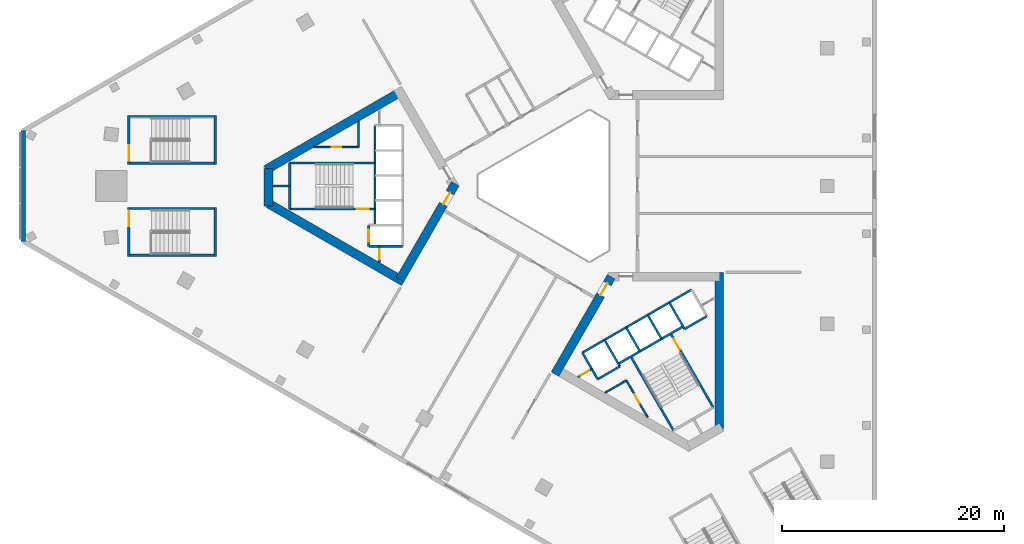
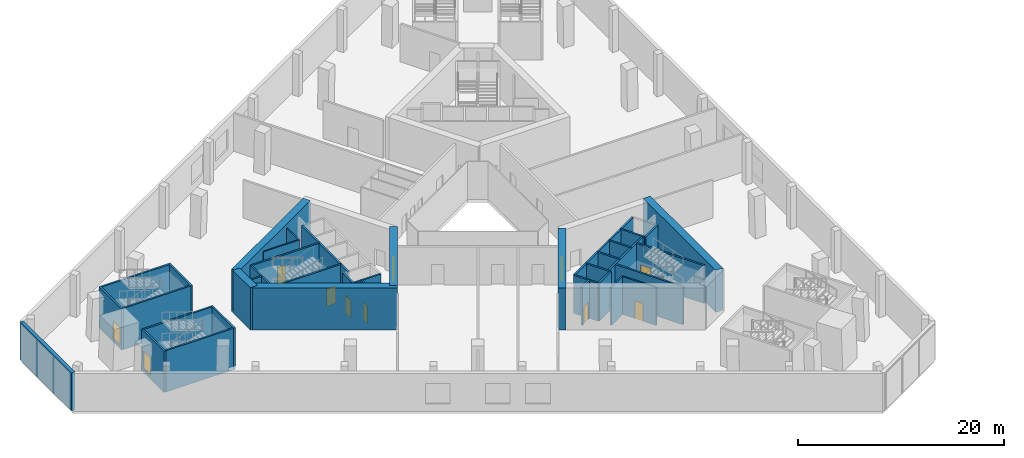
# One storey, part 11 of 36: 39 walls, 11 doors, 11 openings.
"""IFC4 building model written with IfcOpenShell, lengths in metres."""

from ifc_helpers import new_model, si_unit, direction, frame, frame_2d, origin, place, context, subcontext, project, spatial, rectangle, extrude, material, layer, layer_set, type_object, element, fill, save


model = new_model("IFC4")

# Units and contexts
model_context = context("Model", 3, precision=1e-05, world=origin(), true_north=direction((0.0, 1.0)))
body_context = subcontext(model_context, "Body", "Model", "MODEL_VIEW")
ifc_project = project(units=[si_unit("LENGTHUNIT", "METRE"), si_unit("AREAUNIT", "SQUARE_METRE"), si_unit("VOLUMEUNIT", "CUBIC_METRE"), si_unit("PLANEANGLEUNIT", "RADIAN"), si_unit("MASSUNIT", "GRAM", prefix="KILO")], contexts=[model_context])

# Site, building, storey
site_placement = place(None, origin())
site = spatial("IfcSite", under=ifc_project, at=site_placement, CompositionType="ELEMENT")
building_placement = place(site_placement, origin())
building = spatial("IfcBuilding", under=site, at=building_placement, Name="Jabali Bay Hotel Tower and Convention Centre", CompositionType="ELEMENT")
storey_placement = place(building_placement, frame((0.0, 0.0, 20.39990234375)))
storey = spatial("IfcBuildingStorey", under=building, at=storey_placement, Name="L03", CompositionType="ELEMENT", Elevation=20.39990234375)

# Wall
ifc_material_1 = material(Name="Concrete C40", Category="concrete")
ifc_layer_1 = layer(ifc_material_1, 0.199951171875)
ifc_layer_set_1 = layer_set([ifc_layer_1], Name="Concrete C40")
wall_type_1 = type_object("IfcWallType", Name="Core partition wall 200", PredefinedType="PARTITIONING", material=ifc_layer_set_1)
wall_1_placement = place(storey_placement, frame((50.820068359375, 80.0, 0.0), z_axis=(0.0, 0.0, 1.0), x_axis=(-1.0, 0.0, 0.0)))
element("IfcWall", 1, at=wall_1_placement, inside=storey, type_object=wall_type_1, Name="Core wall 0.5 L03", PredefinedType="PARTITIONING", context=body_context, shape_type="SweptSolid", body=[
    extrude(rectangle(XDim=1.623046875, YDim=0.199951171875, at=frame_2d((0.8115234375, 0.0))), origin(), (0.0, 0.0, 1.0), 4.5),
])

# Wall, opening, door
wall_2_placement = place(storey_placement, frame((58.800048828125, 74.550048828125, 0.0), z_axis=(0.0, 0.0, 1.0), x_axis=(0.0, -1.0, 0.0)))
wall_2 = element("IfcWall", 2, at=wall_2_placement, inside=storey, type_object=wall_type_1, Name="Core wall 0.12 L03", PredefinedType="PARTITIONING", context=body_context, shape_type="SweptSolid", body=[
    extrude(rectangle(XDim=1.455078125, YDim=0.199951171875, at=frame_2d((0.7275390625, 0.0))), origin(), (0.0, 0.0, 1.0), 4.5),
])
opening_1_placement = place(wall_2_placement, frame((0.277587890625, 0.0, 0.0)))
opening_1 = element("IfcOpeningElement", 3, at=opening_1_placement, cuts=wall_2, Name="Opening D164", PredefinedType="OPENING", context=body_context, shape_type="SweptSolid", body=[
    extrude(rectangle(XDim=0.89990234375, YDim=2.10009765625, at=frame_2d((0.449951171875, 1.050048828125))), frame((0.0, 0.1103515625, 0.0), z_axis=(0.0, -1.0, 0.0), x_axis=(1.0, 0.0, 0.0)), (0.0, 0.0, 1.0), 0.220947265625),
])
ifc_material_2 = material(Name="Fire-rated steel door", Category="steel")
door_type_1 = type_object("IfcDoorType", Name="Vestibule fire door 900 x 2100", OperationType="NOTDEFINED", PredefinedType="NOTDEFINED", material=ifc_material_2)
door_1_placement = place(opening_1_placement, origin())
door_1 = element("IfcDoor", 4, at=door_1_placement, inside=storey, type_object=door_type_1, Name="Vestibule fire door D164", OperationType="SINGLE_SWING_LEFT", OverallHeight=2.10009765625, OverallWidth=0.89990234375, PredefinedType="NOTDEFINED", context=body_context, shape_type="SweptSolid", body=[
    extrude(rectangle(XDim=0.89990234375, YDim=2.10009765625, at=frame_2d((0.449951171875, 1.050048828125))), frame((0.0, 0.02490234375, 0.0), z_axis=(0.0, -1.0, 0.0), x_axis=(1.0, 0.0, 0.0)), (0.0, 0.0, 1.0), 0.050048828125),
])
fill(opening_1, door_1)

wall_3_placement = place(storey_placement, frame((76.719970703125, 62.748779296875, 0.0), z_axis=(0.0, 0.0, 1.0), x_axis=(0.866054810376, 0.49994906283, 0.0)))
wall_3 = element("IfcWall", 5, at=wall_3_placement, inside=storey, type_object=wall_type_1, Name="Core wall 2.11 L03", PredefinedType="PARTITIONING", context=body_context, shape_type="SweptSolid", body=[
    extrude(rectangle(XDim=1.461181640625, YDim=0.199951171875, at=frame_2d((0.73046875, 0.0))), origin(), (0.0, 0.0, 1.0), 4.5),
])
opening_2_placement = place(wall_3_placement, frame((0.280517578125, 0.0, 0.0)))
opening_2 = element("IfcOpeningElement", 6, at=opening_2_placement, cuts=wall_3, Name="Opening D177", PredefinedType="OPENING", context=body_context, shape_type="SweptSolid", body=[
    extrude(rectangle(XDim=0.89990234375, YDim=2.10009765625, at=frame_2d((0.449951171875, 1.050048828125))), frame((0.0, 0.1103515625, 0.0), z_axis=(0.0, -1.0, 0.0), x_axis=(1.0, 0.0, 0.0)), (0.0, 0.0, 1.0), 0.220947265625),
])
door_2_placement = place(opening_2_placement, origin())
door_2 = element("IfcDoor", 7, at=door_2_placement, inside=storey, type_object=door_type_1, Name="Vestibule fire door D177", OperationType="SINGLE_SWING_LEFT", OverallHeight=2.10009765625, OverallWidth=0.89990234375, PredefinedType="NOTDEFINED", context=body_context, shape_type="SweptSolid", body=[
    extrude(rectangle(XDim=0.89990234375, YDim=2.10009765625, at=frame_2d((0.449951171875, 1.050048828125))), frame((0.0, 0.02490234375, 0.0), z_axis=(0.0, -1.0, 0.0), x_axis=(1.0, 0.0, 0.0)), (0.0, 0.0, 1.0), 0.050048828125),
])
fill(opening_2, door_2)

ifc_material_3 = material(Name="Fire-rated board partition")
ifc_layer_2 = layer(ifc_material_3, 0.14990234375)
ifc_layer_set_2 = layer_set([ifc_layer_2], Name="Fire-rated board partition")
wall_type_2 = type_object("IfcWallType", Name="Core room partition 150", PredefinedType="PARTITIONING", material=ifc_layer_set_2)
wall_4_placement = place(storey_placement, frame((56.919921875, 83.5, 0.0), z_axis=(0.0, 0.0, 1.0), x_axis=(-1.0, 0.0, 0.0)))
wall_4 = element("IfcWall", 8, at=wall_4_placement, inside=storey, type_object=wall_type_2, Name="Core wall 0.1 L03", PredefinedType="PARTITIONING", context=body_context, shape_type="SweptSolid", body=[
    extrude(rectangle(XDim=4.017822265625, YDim=0.14990234375, at=frame_2d((2.0087890625, 0.0))), origin(), (0.0, 0.0, 1.0), 4.5),
])
opening_3_placement = place(wall_4_placement, frame((1.531494140625, 0.0, 0.0)))
opening_3 = element("IfcOpeningElement", 9, at=opening_3_placement, cuts=wall_4, Name="Opening D167", PredefinedType="OPENING", context=body_context, shape_type="SweptSolid", body=[
    extrude(rectangle(XDim=0.89990234375, YDim=2.10009765625, at=frame_2d((0.449951171875, 1.050048828125))), frame((0.0, 0.08544921875, 0.0), z_axis=(0.0, -1.0, 0.0), x_axis=(1.0, 0.0, 0.0)), (0.0, 0.0, 1.0), 0.1708984375),
])
door_type_2 = type_object("IfcDoorType", Name="Core room door 900 x 2100", OperationType="NOTDEFINED", PredefinedType="NOTDEFINED", material=ifc_material_2)
door_3_placement = place(opening_3_placement, origin())
door_3 = element("IfcDoor", 10, at=door_3_placement, inside=storey, type_object=door_type_2, Name="Core room door D167", OperationType="SINGLE_SWING_LEFT", OverallHeight=2.10009765625, OverallWidth=0.89990234375, PredefinedType="NOTDEFINED", context=body_context, shape_type="SweptSolid", body=[
    extrude(rectangle(XDim=0.89990234375, YDim=2.10009765625, at=frame_2d((0.449951171875, 1.050048828125))), frame((0.0, 0.02490234375, 0.0), z_axis=(0.0, -1.0, 0.0), x_axis=(1.0, 0.0, 0.0)), (0.0, 0.0, 1.0), 0.050048828125),
])
fill(opening_3, door_3)

# Wall
wall_5_placement = place(storey_placement, frame((56.919921875, 85.819580078125, 0.0), z_axis=(0.0, 0.0, 1.0), x_axis=(0.0, -1.0, 0.0)))
element("IfcWall", 11, at=wall_5_placement, inside=storey, type_object=wall_type_2, Name="Core wall 0.15 L03", PredefinedType="PARTITIONING", context=body_context, shape_type="SweptSolid", body=[
    extrude(rectangle(XDim=2.319580078125, YDim=0.14990234375, at=frame_2d((1.15966796875, 0.0))), origin(), (0.0, 0.0, 1.0), 4.5),
])

# Wall, opening, door
wall_6_placement = place(storey_placement, frame((81.093994140625, 62.445068359375, 0.0), z_axis=(0.0, 0.0, 1.0), x_axis=(0.499987921047, -0.866032377459, 0.0)))
wall_6 = element("IfcWall", 12, at=wall_6_placement, inside=storey, type_object=wall_type_2, Name="Core wall 2.1 L03", PredefinedType="PARTITIONING", context=body_context, shape_type="SweptSolid", body=[
    extrude(rectangle(XDim=3.84765625, YDim=0.14990234375, at=frame_2d((1.923828125, 0.0))), origin(), (0.0, 0.0, 1.0), 4.5),
])
opening_4_placement = place(wall_6_placement, frame((1.446533203125, 0.0, 0.0)))
opening_4 = element("IfcOpeningElement", 13, at=opening_4_placement, cuts=wall_6, Name="Opening D179", PredefinedType="OPENING", context=body_context, shape_type="SweptSolid", body=[
    extrude(rectangle(XDim=0.89990234375, YDim=2.10009765625, at=frame_2d((0.449951171875, 1.050048828125))), frame((0.0, 0.08544921875, 0.0), z_axis=(0.0, -1.0, 0.0), x_axis=(1.0, 0.0, 0.0)), (0.0, 0.0, 1.0), 0.1708984375),
])
door_4_placement = place(opening_4_placement, origin())
door_4 = element("IfcDoor", 14, at=door_4_placement, inside=storey, type_object=door_type_2, Name="Core room door D179", OperationType="SINGLE_SWING_LEFT", OverallHeight=2.10009765625, OverallWidth=0.89990234375, PredefinedType="NOTDEFINED", context=body_context, shape_type="SweptSolid", body=[
    extrude(rectangle(XDim=0.89990234375, YDim=2.10009765625, at=frame_2d((0.449951171875, 1.050048828125))), frame((0.0, 0.02490234375, 0.0), z_axis=(0.0, -1.0, 0.0), x_axis=(1.0, 0.0, 0.0)), (0.0, 0.0, 1.0), 0.050048828125),
])
fill(opening_4, door_4)

# Walls
wall_7_placement = place(storey_placement, frame((79.169921875, 61.334228515625, 0.0), z_axis=(0.0, 0.0, 1.0), x_axis=(0.866030041738, 0.499991966744, 0.0)))
element("IfcWall", 15, at=wall_7_placement, inside=storey, type_object=wall_type_2, Name="Core wall 2.16 L03", PredefinedType="PARTITIONING", context=body_context, shape_type="SweptSolid", body=[
    extrude(rectangle(XDim=2.2216796875, YDim=0.14990234375, at=frame_2d((1.11083984375, 0.0))), origin(), (0.0, 0.0, 1.0), 4.5),
])
ifc_layer_3 = layer(ifc_material_1, 0.199951171875)
ifc_layer_set_3 = layer_set([ifc_layer_3], Name="Concrete C40")
wall_type_3 = type_object("IfcWallType", Name="Core stair wall 200", PredefinedType="SOLIDWALL", material=ifc_layer_set_3)
wall_8_placement = place(storey_placement, frame((58.419921875, 82.074951171875, 0.0), z_axis=(0.0, 0.0, 1.0), x_axis=(-1.0, 0.0, 0.0)))
element("IfcWall", 16, at=wall_8_placement, inside=storey, type_object=wall_type_3, Name="Core wall 0.3 L03", PredefinedType="SOLIDWALL", context=body_context, shape_type="SweptSolid", body=[
    extrude(rectangle(XDim=7.699951171875, YDim=0.199951171875, at=frame_2d((3.85009765625, 0.0))), origin(), (0.0, 0.0, 1.0), 4.5),
])

# Wall, opening, door
wall_9_placement = place(storey_placement, frame((58.419921875, 77.925048828125, 0.0), z_axis=(0.0, 0.0, 1.0), x_axis=(-1.0, 0.0, 0.0)))
wall_9 = element("IfcWall", 17, at=wall_9_placement, inside=storey, type_object=wall_type_3, Name="Core wall 0.7 L03", PredefinedType="SOLIDWALL", context=body_context, shape_type="SweptSolid", body=[
    extrude(rectangle(XDim=7.699951171875, YDim=0.199951171875, at=frame_2d((3.85009765625, 0.0))), origin(), (0.0, 0.0, 1.0), 4.5),
])
opening_5_placement = place(wall_9_placement, frame((0.550048828125, 0.0, 0.0)))
opening_5 = element("IfcOpeningElement", 18, at=opening_5_placement, cuts=wall_9, Name="Opening D166", PredefinedType="OPENING", context=body_context, shape_type="SweptSolid", body=[
    extrude(rectangle(XDim=1.10009765625, YDim=2.10009765625, at=frame_2d((0.550048828125, 1.050048828125))), frame((0.0, 0.1103515625, 0.0), z_axis=(0.0, -1.0, 0.0), x_axis=(1.0, 0.0, 0.0)), (0.0, 0.0, 1.0), 0.220947265625),
])
door_type_3 = type_object("IfcDoorType", Name="Stair fire door 1100 x 2100", OperationType="NOTDEFINED", PredefinedType="NOTDEFINED", material=ifc_material_2)
door_5_placement = place(opening_5_placement, origin())
door_5 = element("IfcDoor", 19, at=door_5_placement, inside=storey, type_object=door_type_3, Name="Stair fire door D166", OperationType="SINGLE_SWING_RIGHT", OverallHeight=2.10009765625, OverallWidth=1.10009765625, PredefinedType="NOTDEFINED", context=body_context, shape_type="SweptSolid", body=[
    extrude(rectangle(XDim=1.10009765625, YDim=2.10009765625, at=frame_2d((0.550048828125, 1.050048828125))), frame((0.0, 0.02490234375, 0.0), z_axis=(0.0, -1.0, 0.0), x_axis=(1.0, 0.0, 0.0)), (0.0, 0.0, 1.0), 0.050048828125),
])
fill(opening_5, door_5)

# Walls
wall_10_placement = place(storey_placement, frame((60.89990234375, 74.550048828125, 0.0), z_axis=(0.0, 0.0, 1.0), x_axis=(-1.0, 0.0, 0.0)))
element("IfcWall", 20, at=wall_10_placement, inside=storey, type_object=wall_type_3, Name="Core wall 0.9 L03", PredefinedType="SOLIDWALL", context=body_context, shape_type="SweptSolid", body=[
    extrude(rectangle(XDim=3.0498046875, YDim=0.199951171875, at=frame_2d((1.52490234375, 0.0))), origin(), (0.0, 0.0, 1.0), 4.5),
])
wall_11_placement = place(storey_placement, frame((58.419921875, 85.449951171875, 0.0), z_axis=(0.0, 0.0, 1.0), x_axis=(0.0, -1.0, 0.0)))
element("IfcWall", 21, at=wall_11_placement, inside=storey, type_object=wall_type_3, Name="Core wall 0.13 L03", PredefinedType="SOLIDWALL", context=body_context, shape_type="SweptSolid", body=[
    extrude(rectangle(XDim=9.0, YDim=0.199951171875, at=frame_2d((4.5, 0.0))), origin(), (0.0, 0.0, 1.0), 4.5),
])

# Wall, opening, door
wall_12_placement = place(storey_placement, frame((57.85009765625, 76.449951171875, 0.0), z_axis=(0.0, 0.0, 1.0), x_axis=(0.0, -1.0, 0.0)))
wall_12 = element("IfcWall", 22, at=wall_12_placement, inside=storey, type_object=wall_type_3, Name="Core wall 0.14 L03", PredefinedType="SOLIDWALL", context=body_context, shape_type="SweptSolid", body=[
    extrude(rectangle(XDim=1.89990234375, YDim=0.199951171875, at=frame_2d((0.949951171875, 0.0))), origin(), (0.0, 0.0, 1.0), 4.5),
])
opening_6_placement = place(wall_12_placement, frame((0.39990234375, 0.0, 0.0)))
opening_6 = element("IfcOpeningElement", 23, at=opening_6_placement, cuts=wall_12, Name="Opening LD5-L03", PredefinedType="OPENING", context=body_context, shape_type="SweptSolid", body=[
    extrude(rectangle(XDim=1.10009765625, YDim=2.10009765625, at=frame_2d((0.550048828125, 1.050048828125))), frame((0.0, 0.1103515625, 0.0), z_axis=(0.0, -1.0, 0.0), x_axis=(1.0, 0.0, 0.0)), (0.0, 0.0, 1.0), 0.220947265625),
])
ifc_material_4 = material(Name="Stainless steel landing door", Category="steel")
door_type_4 = type_object("IfcDoorType", Name="Landing door 1100 x 2100", OperationType="NOTDEFINED", PredefinedType="NOTDEFINED", material=ifc_material_4)
door_6_placement = place(opening_6_placement, origin())
door_6 = element("IfcDoor", 24, at=door_6_placement, inside=storey, type_object=door_type_4, Name="Landing doors LD5-L03", OperationType="SLIDING_TO_RIGHT", OverallHeight=2.10009765625, OverallWidth=1.10009765625, PredefinedType="NOTDEFINED", context=body_context, shape_type="SweptSolid", body=[
    extrude(rectangle(XDim=1.10009765625, YDim=2.10009765625, at=frame_2d((0.550048828125, 1.050048828125))), frame((0.0, 0.02490234375, 0.0), z_axis=(0.0, -1.0, 0.0), x_axis=(1.0, 0.0, 0.0)), (0.0, 0.0, 1.0), 0.050048828125),
])
fill(opening_6, door_6)

# Walls
wall_13_placement = place(storey_placement, frame((50.719970703125, 82.074951171875, 0.0), z_axis=(0.0, 0.0, 1.0), x_axis=(0.0, -1.0, 0.0)))
element("IfcWall", 25, at=wall_13_placement, inside=storey, type_object=wall_type_3, Name="Core wall 0.16 L03", PredefinedType="SOLIDWALL", context=body_context, shape_type="SweptSolid", body=[
    extrude(rectangle(XDim=4.14990234375, YDim=0.199951171875, at=frame_2d((2.074951171875, 0.0))), origin(), (0.0, 0.0, 1.0), 4.5),
])
for number, where, z_axis, x_axis, name in (
    (26, (77.13525390625, 64.95166015625, 0.0), (0.0, 0.0, 1.0), (0.499996545922, -0.866027397988, 0.0), "Core wall 2.0 L03"),
    (27, (79.127197265625, 66.1015625, 0.0), (0.0, 0.0, 1.0), (0.499996545922, -0.866027397988, 0.0), "Core wall 2.2 L03"),
):
    element("IfcWall", number, at=place(storey_placement, frame(where, z_axis=z_axis, x_axis=x_axis)), inside=storey, type_object=wall_type_3, Name=name, PredefinedType="SOLIDWALL", context=body_context, shape_type="SweptSolid", body=[
        extrude(rectangle(XDim=2.75, YDim=0.199951171875, at=frame_2d((1.375, 0.0))), origin(), (0.0, 0.0, 1.0), 4.5),
    ])
wall_14_placement = place(storey_placement, frame((81.492919921875, 64.603759765625, 0.0), z_axis=(0.0, 0.0, 1.0), x_axis=(0.500006057782, -0.866021906294, 0.0)))
element("IfcWall", 28, at=wall_14_placement, inside=storey, type_object=wall_type_3, Name="Core wall 2.3 L03", PredefinedType="SOLIDWALL", context=body_context, shape_type="SweptSolid", body=[
    extrude(rectangle(XDim=7.7001953125, YDim=0.199951171875, at=frame_2d((3.85009765625, 0.0))), origin(), (0.0, 0.0, 1.0), 4.5),
])
for number, where, z_axis, x_axis, name in (
    (29, (81.07568359375, 67.2265625, 0.0), (0.0, 0.0, 1.0), (0.50000366821, -0.866023285932, 0.0), "Core wall 2.4 L03"),
    (30, (83.024169921875, 68.3515625, 0.0), (0.0, 0.0, 1.0), (0.50000366821, -0.866023285932, 0.0), "Core wall 2.6 L03"),
):
    element("IfcWall", number, at=place(storey_placement, frame(where, z_axis=z_axis, x_axis=x_axis)), inside=storey, type_object=wall_type_3, Name=name, PredefinedType="SOLIDWALL", context=body_context, shape_type="SweptSolid", body=[
        extrude(rectangle(XDim=2.47998046875, YDim=0.199951171875, at=frame_2d((1.239990234375, 0.0))), origin(), (0.0, 0.0, 1.0), 4.5),
    ])

# Wall, opening, door
wall_15_placement = place(storey_placement, frame((85.0869140625, 66.6787109375, 0.0), z_axis=(0.0, 0.0, 1.0), x_axis=(0.500019787375, -0.866013979237, 0.0)))
wall_15 = element("IfcWall", 31, at=wall_15_placement, inside=storey, type_object=wall_type_3, Name="Core wall 2.7 L03", PredefinedType="SOLIDWALL", context=body_context, shape_type="SweptSolid", body=[
    extrude(rectangle(XDim=7.699951171875, YDim=0.199951171875, at=frame_2d((3.85009765625, 0.0))), origin(), (0.0, 0.0, 1.0), 4.5),
])
opening_7_placement = place(wall_15_placement, frame((0.550048828125, 0.0, 0.0)))
opening_7 = element("IfcOpeningElement", 32, at=opening_7_placement, cuts=wall_15, Name="Opening D178", PredefinedType="OPENING", context=body_context, shape_type="SweptSolid", body=[
    extrude(rectangle(XDim=1.10009765625, YDim=2.10009765625, at=frame_2d((0.550048828125, 1.050048828125))), frame((0.0, 0.1103515625, 0.0), z_axis=(0.0, -1.0, 0.0), x_axis=(1.0, 0.0, 0.0)), (0.0, 0.0, 1.0), 0.220947265625),
])
door_7_placement = place(opening_7_placement, origin())
door_7 = element("IfcDoor", 33, at=door_7_placement, inside=storey, type_object=door_type_3, Name="Stair fire door D178", OperationType="SINGLE_SWING_RIGHT", OverallHeight=2.10009765625, OverallWidth=1.10009765625, PredefinedType="NOTDEFINED", context=body_context, shape_type="SweptSolid", body=[
    extrude(rectangle(XDim=1.10009765625, YDim=2.10009765625, at=frame_2d((0.550048828125, 1.050048828125))), frame((0.0, 0.02490234375, 0.0), z_axis=(0.0, -1.0, 0.0), x_axis=(1.0, 0.0, 0.0)), (0.0, 0.0, 1.0), 0.050048828125),
])
fill(opening_7, door_7)

# Walls
wall_16_placement = place(storey_placement, frame((84.972900390625, 69.4765625, 0.0), z_axis=(0.0, 0.0, 1.0), x_axis=(0.499996545922, -0.866027397988, 0.0)))
element("IfcWall", 34, at=wall_16_placement, inside=storey, type_object=wall_type_3, Name="Core wall 2.8 L03", PredefinedType="SOLIDWALL", context=body_context, shape_type="SweptSolid", body=[
    extrude(rectangle(XDim=2.75, YDim=0.199951171875, at=frame_2d((1.375, 0.0))), origin(), (0.0, 0.0, 1.0), 4.5),
])
wall_17_placement = place(storey_placement, frame((77.13525390625, 64.95166015625, 0.0), z_axis=(0.0, 0.0, 1.0), x_axis=(0.866031916153, 0.499988720078, 0.0)))
element("IfcWall", 35, at=wall_17_placement, inside=storey, type_object=wall_type_3, Name="Core wall 2.10 L03", PredefinedType="SOLIDWALL", context=body_context, shape_type="SweptSolid", body=[
    extrude(rectangle(XDim=11.349853515625, YDim=0.199951171875, at=frame_2d((5.6748046875, 0.0))), origin(), (0.0, 0.0, 1.0), 4.5),
])
wall_18_placement = place(storey_placement, frame((80.3671875, 63.953857421875, 0.0), z_axis=(0.0, 0.0, 1.0), x_axis=(0.866026575979, 0.499997969693, 0.0)))
element("IfcWall", 36, at=wall_18_placement, inside=storey, type_object=wall_type_3, Name="Core wall 2.13 L03", PredefinedType="SOLIDWALL", context=body_context, shape_type="SweptSolid", body=[
    extrude(rectangle(XDim=6.75, YDim=0.199951171875, at=frame_2d((3.375, 0.0))), origin(), (0.0, 0.0, 1.0), 4.5),
])
wall_19_placement = place(storey_placement, frame((78.51025390625, 62.570068359375, 0.0), z_axis=(0.0, 0.0, 1.0), x_axis=(0.866053019151, 0.499952165731, 0.0)))
element("IfcWall", 37, at=wall_19_placement, inside=storey, type_object=wall_type_3, Name="Core wall 2.14 L03", PredefinedType="SOLIDWALL", context=body_context, shape_type="SweptSolid", body=[
    extrude(rectangle(XDim=2.300048828125, YDim=0.199951171875, at=frame_2d((1.14990234375, 0.0))), origin(), (0.0, 0.0, 1.0), 4.5),
])
wall_20_placement = place(storey_placement, frame((86.347900390625, 67.094970703125, 0.0), z_axis=(0.0, 0.0, 1.0), x_axis=(0.86602648383, 0.499998129301, 0.0)))
element("IfcWall", 38, at=wall_20_placement, inside=storey, type_object=wall_type_3, Name="Core wall 2.15 L03", PredefinedType="SOLIDWALL", context=body_context, shape_type="SweptSolid", body=[
    extrude(rectangle(XDim=2.2998046875, YDim=0.199951171875, at=frame_2d((1.14990234375, 0.0))), origin(), (0.0, 0.0, 1.0), 4.5),
])
ifc_material_5 = material(Name="Concrete C60", Category="concrete")
ifc_layer_4 = layer(ifc_material_5, 0.800048828125)
ifc_layer_set_4 = layer_set([ifc_layer_4], Name="Concrete C60")
wall_type_4 = type_object("IfcWallType", Name="Core wall 800", PredefinedType="SHEAR", material=ifc_layer_set_4)
wall_21_placement = place(storey_placement, frame((60.66357421875, 88.44287109375, 0.0), z_axis=(0.0, 0.0, 1.0), x_axis=(-0.866029478545, -0.499992942241, 0.0)))
element("IfcWall", 39, at=wall_21_placement, inside=storey, type_object=wall_type_4, Name="Core wall 1.2 L03", PredefinedType="SHEAR", context=body_context, shape_type="SweptSolid", body=[
    extrude(rectangle(XDim=13.933349609375, YDim=0.800048828125, at=frame_2d((6.966796875, 0.0))), origin(), (0.0, 0.0, 1.0), 5.0),
])
wall_22_placement = place(storey_placement, frame((48.796875, 81.591796875, 0.0), z_axis=(0.0, 0.0, 1.0), x_axis=(0.0, -1.0, 0.0)))
element("IfcWall", 40, at=wall_22_placement, inside=storey, type_object=wall_type_4, Name="Core wall 1.3 L03", PredefinedType="SHEAR", context=body_context, shape_type="SweptSolid", body=[
    extrude(rectangle(XDim=3.41455078125, YDim=0.800048828125, at=frame_2d((1.707275390625, 0.0))), origin(), (0.0, 0.0, 1.0), 5.0),
])
wall_23_placement = place(storey_placement, frame((48.796875, 78.408203125, 0.0), z_axis=(0.0, 0.0, 1.0), x_axis=(0.866032504327, -0.499987701298, 0.0)))
element("IfcWall", 41, at=wall_23_placement, inside=storey, type_object=wall_type_4, Name="Core wall 1.4 L03", PredefinedType="SHEAR", context=body_context, shape_type="SweptSolid", body=[
    extrude(rectangle(XDim=14.102294921875, YDim=0.800048828125, at=frame_2d((7.05126953125, 0.0))), origin(), (0.0, 0.0, 1.0), 5.0),
])

# Wall, opening, door
wall_24_placement = place(storey_placement, frame((60.66357421875, 71.55712890625, 0.0), z_axis=(0.0, 0.0, 1.0), x_axis=(0.50000409368, 0.866023040284, 0.0)))
wall_24 = element("IfcWall", 42, at=wall_24_placement, inside=storey, type_object=wall_type_4, Name="Core wall 1.5 L03", PredefinedType="SHEAR", context=body_context, shape_type="SweptSolid", body=[
    extrude(rectangle(XDim=9.97998046875, YDim=0.800048828125, at=frame_2d((4.989990234375, 0.0))), origin(), (0.0, 0.0, 1.0), 5.0),
])
opening_8_placement = place(wall_24_placement, frame((7.830078125, 0.0, 0.0)))
opening_8 = element("IfcOpeningElement", 43, at=opening_8_placement, cuts=wall_24, Name="Opening D163", PredefinedType="OPENING", context=body_context, shape_type="SweptSolid", body=[
    extrude(rectangle(XDim=1.199951171875, YDim=2.10009765625, at=frame_2d((0.60009765625, 1.050048828125))), frame((0.0, 0.41064453125, 0.0), z_axis=(0.0, -1.0, 0.0), x_axis=(1.0, 0.0, 0.0)), (0.0, 0.0, 1.0), 0.821044921875),
])
door_type_5 = type_object("IfcDoorType", Name="Corridor end fire door 1200 x 2100", OperationType="NOTDEFINED", PredefinedType="NOTDEFINED", material=ifc_material_2)
door_8_placement = place(opening_8_placement, origin())
door_8 = element("IfcDoor", 44, at=door_8_placement, inside=storey, type_object=door_type_5, Name="Corridor end fire door D163", OperationType="SINGLE_SWING_LEFT", OverallHeight=2.10009765625, OverallWidth=1.199951171875, PredefinedType="NOTDEFINED", context=body_context, shape_type="SweptSolid", body=[
    extrude(rectangle(XDim=1.199951171875, YDim=2.10009765625, at=frame_2d((0.60009765625, 1.050048828125))), frame((0.0, 0.02490234375, 0.0), z_axis=(0.0, -1.0, 0.0), x_axis=(1.0, 0.0, 0.0)), (0.0, 0.0, 1.0), 0.050048828125),
])
fill(opening_8, door_8)

wall_25_placement = place(storey_placement, frame((79.73095703125, 71.8056640625, 0.0), z_axis=(0.0, 0.0, 1.0), x_axis=(-0.49999662545, -0.866027352073, 0.0)))
wall_25 = element("IfcWall", 45, at=wall_25_placement, inside=storey, type_object=wall_type_4, Name="Core wall 3.1 L03", PredefinedType="SHEAR", context=body_context, shape_type="SweptSolid", body=[
    extrude(rectangle(XDim=10.14892578125, YDim=0.800048828125, at=frame_2d((5.074462890625, 0.0))), origin(), (0.0, 0.0, 1.0), 5.0),
])
opening_9_placement = place(wall_25_placement, frame((0.718994140625, 0.0, 0.0)))
opening_9 = element("IfcOpeningElement", 46, at=opening_9_placement, cuts=wall_25, Name="Opening D174", PredefinedType="OPENING", context=body_context, shape_type="SweptSolid", body=[
    extrude(rectangle(XDim=1.199951171875, YDim=2.10009765625, at=frame_2d((0.60009765625, 1.050048828125))), frame((0.0, 0.41064453125, 0.0), z_axis=(0.0, -1.0, 0.0), x_axis=(1.0, 0.0, 0.0)), (0.0, 0.0, 1.0), 0.821044921875),
])
door_9_placement = place(opening_9_placement, origin())
door_9 = element("IfcDoor", 47, at=door_9_placement, inside=storey, type_object=door_type_5, Name="Corridor end fire door D174", OperationType="SINGLE_SWING_RIGHT", OverallHeight=2.10009765625, OverallWidth=1.199951171875, PredefinedType="NOTDEFINED", context=body_context, shape_type="SweptSolid", body=[
    extrude(rectangle(XDim=1.199951171875, YDim=2.10009765625, at=frame_2d((0.60009765625, 1.050048828125))), frame((0.0, 0.02490234375, 0.0), z_axis=(0.0, -1.0, 0.0), x_axis=(1.0, 0.0, 0.0)), (0.0, 0.0, 1.0), 0.050048828125),
])
fill(opening_9, door_9)

# Walls
wall_26_placement = place(storey_placement, frame((89.47998046875, 58.103271484375, 0.0), z_axis=(0.0, 0.0, 1.0), x_axis=(0.0, 1.0, 0.0)))
element("IfcWall", 48, at=wall_26_placement, inside=storey, type_object=wall_type_4, Name="Core wall 3.4 L03", PredefinedType="SHEAR", context=body_context, shape_type="SweptSolid", body=[
    extrude(rectangle(XDim=14.1025390625, YDim=0.800048828125, at=frame_2d((7.05126953125, 0.0))), origin(), (0.0, 0.0, 1.0), 5.0),
])
ifc_layer_5 = layer(ifc_material_1, 0.39990234375)
ifc_layer_set_5 = layer_set([ifc_layer_5], Name="Concrete C40")
wall_type_5 = type_object("IfcWallType", Name="Podium external wall 400", PredefinedType="SOLIDWALL", material=ifc_layer_set_5)
wall_27_placement = place(storey_placement, frame((26.66015625, 75.0, 0.0), z_axis=(0.0, 0.0, 1.0), x_axis=(0.0, 1.0, 0.0)))
element("IfcWall", 49, at=wall_27_placement, inside=storey, type_object=wall_type_5, Name="External wall west chamfer L03", PredefinedType="SOLIDWALL", context=body_context, shape_type="SweptSolid", body=[
    extrude(rectangle(XDim=10.0, YDim=0.39990234375, at=frame_2d((5.0, 0.0))), origin(), (0.0, 0.0, 1.0), 4.5),
])

# Wall, opening, door
ifc_layer_6 = layer(ifc_material_1, 0.199951171875)
ifc_layer_set_6 = layer_set([ifc_layer_6], Name="Concrete C40")
wall_type_6 = type_object("IfcWallType", Name="Podium stair enclosure wall 200", PredefinedType="SOLIDWALL", material=ifc_layer_set_6)
wall_28_placement = place(storey_placement, frame((36.199951171875, 78.050048828125, -0.39990234375), z_axis=(0.0, 0.0, 1.0), x_axis=(0.0, -1.0, 0.0)))
wall_28 = element("IfcWall", 50, at=wall_28_placement, inside=storey, type_object=wall_type_6, Name="Podium stair wall 1.1 L03", PredefinedType="SOLIDWALL", context=body_context, shape_type="SweptSolid", body=[
    extrude(rectangle(XDim=4.400146484375, YDim=0.199951171875, at=frame_2d((2.2001953125, 0.0))), origin(), (0.0, 0.0, 1.0), 4.89990234375),
])
opening_10_placement = place(wall_28_placement, frame((0.300048828125, 0.0, 0.39990234375)))
opening_10 = element("IfcOpeningElement", 51, at=opening_10_placement, cuts=wall_28, Name="Opening D1739", PredefinedType="OPENING", context=body_context, shape_type="SweptSolid", body=[
    extrude(rectangle(XDim=1.39990234375, YDim=2.10009765625, at=frame_2d((0.699951171875, 1.050048828125))), frame((0.0, 0.1103515625, 0.0), z_axis=(0.0, -1.0, 0.0), x_axis=(1.0, 0.0, 0.0)), (0.0, 0.0, 1.0), 0.220947265625),
])
door_type_6 = type_object("IfcDoorType", Name="Podium stair fire door 1400 x 2100", OperationType="NOTDEFINED", PredefinedType="NOTDEFINED", material=ifc_material_2)
door_10_placement = place(opening_10_placement, origin())
door_10 = element("IfcDoor", 52, at=door_10_placement, inside=storey, type_object=door_type_6, Name="Podium stair fire door D1739", OperationType="SINGLE_SWING_RIGHT", OverallHeight=2.10009765625, OverallWidth=1.39990234375, PredefinedType="NOTDEFINED", context=body_context, shape_type="SweptSolid", body=[
    extrude(rectangle(XDim=1.39990234375, YDim=2.10009765625, at=frame_2d((0.699951171875, 1.050048828125))), frame((0.0, 0.02490234375, 0.0), z_axis=(0.0, -1.0, 0.0), x_axis=(1.0, 0.0, 0.0)), (0.0, 0.0, 1.0), 0.050048828125),
])
fill(opening_10, door_10)

# Walls
wall_29_placement = place(storey_placement, frame((36.10009765625, 73.75, -0.39990234375), z_axis=(0.0, 0.0, 1.0), x_axis=(1.0, 0.0, 0.0)))
element("IfcWall", 53, at=wall_29_placement, inside=storey, type_object=wall_type_6, Name="Podium stair wall 1.2 L03", PredefinedType="SOLIDWALL", context=body_context, shape_type="SweptSolid", body=[
    extrude(rectangle(XDim=8.0, YDim=0.199951171875, at=frame_2d((4.0, 0.0))), origin(), (0.0, 0.0, 1.0), 4.89990234375),
])
wall_30_placement = place(storey_placement, frame((44.0, 73.64990234375, -0.39990234375), z_axis=(0.0, 0.0, 1.0), x_axis=(0.0, 1.0, 0.0)))
element("IfcWall", 54, at=wall_30_placement, inside=storey, type_object=wall_type_6, Name="Podium stair wall 1.3 L03", PredefinedType="SOLIDWALL", context=body_context, shape_type="SweptSolid", body=[
    extrude(rectangle(XDim=4.400146484375, YDim=0.199951171875, at=frame_2d((2.2001953125, 0.0))), origin(), (0.0, 0.0, 1.0), 4.89990234375),
])
wall_31_placement = place(storey_placement, frame((44.10009765625, 77.949951171875, -0.39990234375), z_axis=(0.0, 0.0, 1.0), x_axis=(-1.0, 0.0, 0.0)))
element("IfcWall", 55, at=wall_31_placement, inside=storey, type_object=wall_type_6, Name="Podium stair wall 1.4 L03", PredefinedType="SOLIDWALL", context=body_context, shape_type="SweptSolid", body=[
    extrude(rectangle(XDim=8.0, YDim=0.199951171875, at=frame_2d((4.0, 0.0))), origin(), (0.0, 0.0, 1.0), 4.89990234375),
])

# Wall, opening, door
wall_32_placement = place(storey_placement, frame((36.199951171875, 86.35009765625, -0.39990234375), z_axis=(0.0, 0.0, 1.0), x_axis=(0.0, -1.0, 0.0)))
wall_32 = element("IfcWall", 56, at=wall_32_placement, inside=storey, type_object=wall_type_6, Name="Podium stair wall 2.1 L03", PredefinedType="SOLIDWALL", context=body_context, shape_type="SweptSolid", body=[
    extrude(rectangle(XDim=4.400146484375, YDim=0.199951171875, at=frame_2d((2.2001953125, 0.0))), origin(), (0.0, 0.0, 1.0), 4.89990234375),
])
opening_11_placement = place(wall_32_placement, frame((2.699951171875, 0.0, 0.39990234375)))
opening_11 = element("IfcOpeningElement", 57, at=opening_11_placement, cuts=wall_32, Name="Opening D1744", PredefinedType="OPENING", context=body_context, shape_type="SweptSolid", body=[
    extrude(rectangle(XDim=1.39990234375, YDim=2.10009765625, at=frame_2d((0.699951171875, 1.050048828125))), frame((0.0, 0.1103515625, 0.0), z_axis=(0.0, -1.0, 0.0), x_axis=(1.0, 0.0, 0.0)), (0.0, 0.0, 1.0), 0.220947265625),
])
door_11_placement = place(opening_11_placement, origin())
door_11 = element("IfcDoor", 58, at=door_11_placement, inside=storey, type_object=door_type_6, Name="Podium stair fire door D1744", OperationType="SINGLE_SWING_RIGHT", OverallHeight=2.10009765625, OverallWidth=1.39990234375, PredefinedType="NOTDEFINED", context=body_context, shape_type="SweptSolid", body=[
    extrude(rectangle(XDim=1.39990234375, YDim=2.10009765625, at=frame_2d((0.699951171875, 1.050048828125))), frame((0.0, 0.02490234375, 0.0), z_axis=(0.0, -1.0, 0.0), x_axis=(1.0, 0.0, 0.0)), (0.0, 0.0, 1.0), 0.050048828125),
])
fill(opening_11, door_11)

# Walls
wall_33_placement = place(storey_placement, frame((36.10009765625, 82.050048828125, -0.39990234375), z_axis=(0.0, 0.0, 1.0), x_axis=(1.0, 0.0, 0.0)))
element("IfcWall", 59, at=wall_33_placement, inside=storey, type_object=wall_type_6, Name="Podium stair wall 2.2 L03", PredefinedType="SOLIDWALL", context=body_context, shape_type="SweptSolid", body=[
    extrude(rectangle(XDim=8.0, YDim=0.199951171875, at=frame_2d((4.0, 0.0))), origin(), (0.0, 0.0, 1.0), 4.89990234375),
])
wall_34_placement = place(storey_placement, frame((44.0, 81.949951171875, -0.39990234375), z_axis=(0.0, 0.0, 1.0), x_axis=(0.0, 1.0, 0.0)))
element("IfcWall", 60, at=wall_34_placement, inside=storey, type_object=wall_type_6, Name="Podium stair wall 2.3 L03", PredefinedType="SOLIDWALL", context=body_context, shape_type="SweptSolid", body=[
    extrude(rectangle(XDim=4.400146484375, YDim=0.199951171875, at=frame_2d((2.2001953125, 0.0))), origin(), (0.0, 0.0, 1.0), 4.89990234375),
])
wall_35_placement = place(storey_placement, frame((44.10009765625, 86.25, -0.39990234375), z_axis=(0.0, 0.0, 1.0), x_axis=(-1.0, 0.0, 0.0)))
element("IfcWall", 61, at=wall_35_placement, inside=storey, type_object=wall_type_6, Name="Podium stair wall 2.4 L03", PredefinedType="SOLIDWALL", context=body_context, shape_type="SweptSolid", body=[
    extrude(rectangle(XDim=8.0, YDim=0.199951171875, at=frame_2d((4.0, 0.0))), origin(), (0.0, 0.0, 1.0), 4.89990234375),
])

save(model, "model.ifc")
